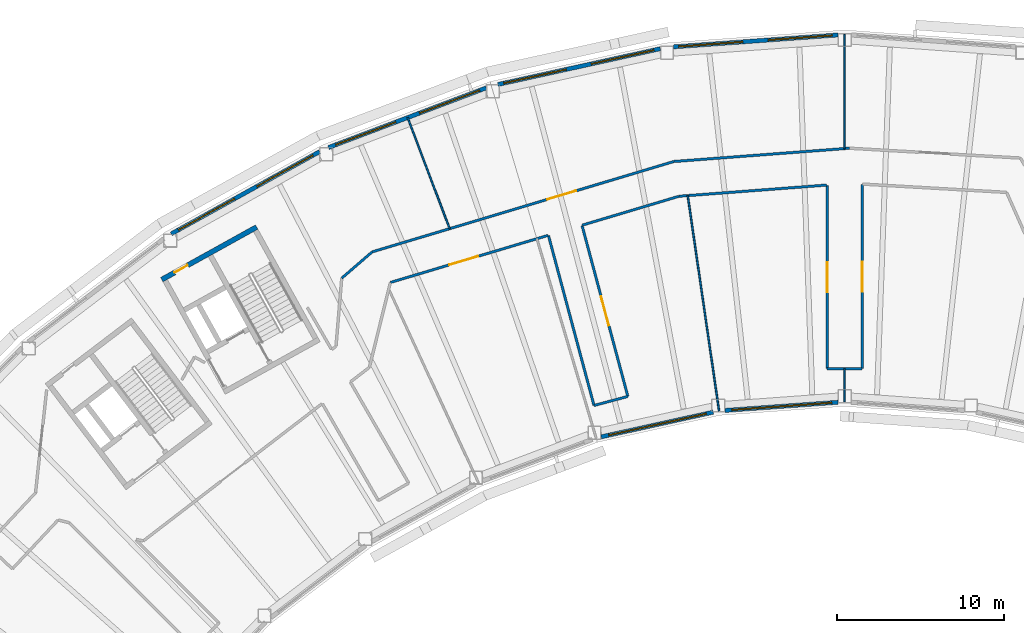
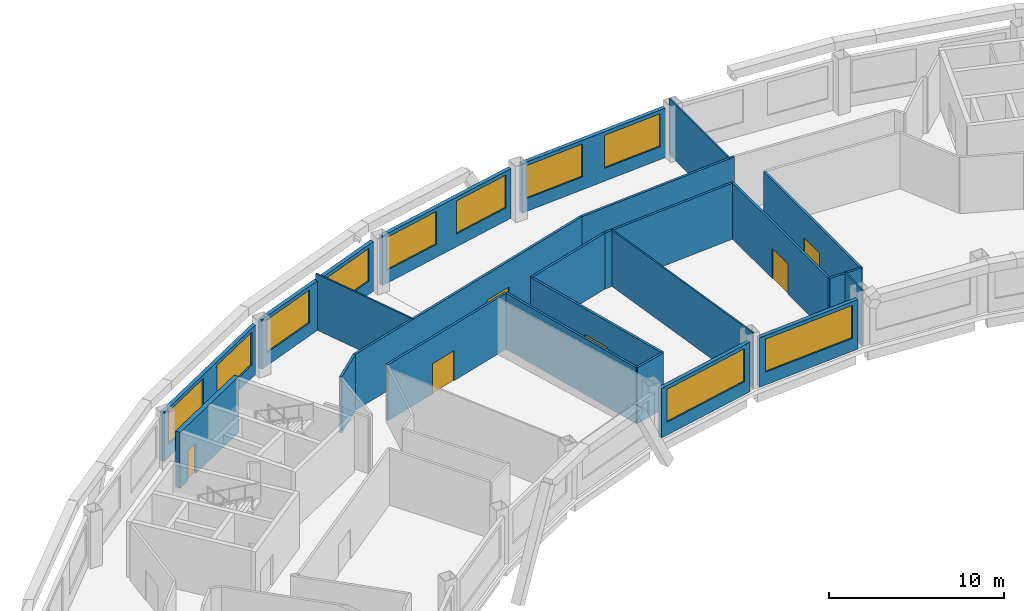
# One storey, part 6 of 16: 23 walls, 10 windows, 6 doors, 16 openings.
"""IFC4 building model written with IfcOpenShell, lengths in metres."""

import ifcopenshell
import ifcopenshell.guid

model = None  # the IFC model being written
_history = None  # IfcOwnerHistory: only IFC2X3 demands one
_inside = {}  # id of a spatial element -> (the spatial element, [elements in it])
_under = {}  # id of a project, library or spatial element -> (it, [spatial elements below it])
_declared = {}  # id of a project -> (the project, [libraries it declares])
_typed = {}  # id of a type object -> (the type object, [elements of that type])
_made_of = {}  # id of a material, layer set ... -> (it, [elements and type objects made of it])


def new_model(schema):
    """Start an empty IFC model of exactly this schema.

    Asked for "IFC4X3", IfcOpenShell would pick the latest addendum, in which some entities
    have other attributes; the version numbers below select the first issue.
    IFC2X3 requires an IfcOwnerHistory on every rooted entity: one is made here for all.
    """
    global model, _history
    if schema == "IFC4X3":
        model = ifcopenshell.file(schema_version=(4, 3, 0, 0))
    else:
        model = ifcopenshell.file(schema=schema)
    _inside.clear()
    _under.clear()
    _declared.clear()
    _typed.clear()
    _made_of.clear()
    _history = None
    if model.schema == "IFC2X3":
        org = make("IfcOrganization", Name="unknown")
        user = make(
            "IfcPersonAndOrganization",
            ThePerson=make("IfcPerson", FamilyName="unknown"),
            TheOrganization=org,
        )
        app = make(
            "IfcApplication",
            ApplicationDeveloper=org,
            Version="unknown",
            ApplicationFullName="unknown",
            ApplicationIdentifier="unknown",
        )
        _history = make(
            "IfcOwnerHistory",
            OwningUser=user,
            OwningApplication=app,
            ChangeAction="ADDED",
            CreationDate=0,
        )
    return model


def make(cls, **values):
    """One entity of the class cls with the attributes given. An attribute that is None is left unset."""
    return model.create_entity(
        cls, **{name: value for name, value in values.items() if value is not None}
    )


def rooted(cls, **values):
    """An entity with a GlobalId (a new one), such as an element, a storey or a relation."""
    return make(cls, GlobalId=ifcopenshell.guid.new(), OwnerHistory=_history, **values)


def si_unit(unit_type, name, prefix=None):
    """IfcSIUnit, for example si_unit("LENGTHUNIT", "METRE", prefix="MILLI")."""
    return make("IfcSIUnit", UnitType=unit_type, Prefix=prefix, Name=name)


def assignment(units):
    """IfcUnitAssignment: the units of a project."""
    return None if units is None else make("IfcUnitAssignment", Units=units)


def point(xyz):
    """IfcCartesianPoint."""
    return None if xyz is None else make("IfcCartesianPoint", Coordinates=xyz)


def direction(xyz):
    """IfcDirection."""
    return None if xyz is None else make("IfcDirection", DirectionRatios=xyz)


def frame(location, z_axis=None, x_axis=None):
    """IfcAxis2Placement3D, a coordinate frame: its origin and axes. An axis left out is left unset."""
    return make(
        "IfcAxis2Placement3D",
        Location=point(location),
        Axis=direction(z_axis),
        RefDirection=direction(x_axis),
    )


def frame_2d(location, x_axis=None):
    """IfcAxis2Placement2D, a coordinate frame in the plane: its origin and x axis."""
    return make(
        "IfcAxis2Placement2D", Location=point(location), RefDirection=direction(x_axis)
    )


def origin():
    """The frame at (0, 0, 0) with its axes left unset."""
    return frame((0.0, 0.0, 0.0))


def place(relative_to, where):
    """IfcLocalPlacement: puts the frame where relative to a parent placement (None: the world)."""
    return make(
        "IfcLocalPlacement", PlacementRelTo=relative_to, RelativePlacement=where
    )


def context(
    kind, dimensions, precision=None, world=None, true_north=None, identifier=None
):
    """IfcGeometricRepresentationContext, for example the 3D "Model" context."""
    return make(
        "IfcGeometricRepresentationContext",
        ContextIdentifier=identifier,
        ContextType=kind,
        CoordinateSpaceDimension=dimensions,
        Precision=precision,
        WorldCoordinateSystem=world,
        TrueNorth=true_north,
    )


def subcontext(parent, identifier, kind, view, scale=None):
    """IfcGeometricRepresentationSubContext, for example "Body" below "Model"."""
    return make(
        "IfcGeometricRepresentationSubContext",
        ContextIdentifier=identifier,
        ContextType=kind,
        ParentContext=parent,
        TargetScale=scale,
        TargetView=view,
    )


def project(units=None, contexts=None):
    """IfcProject with its units and contexts."""
    return rooted(
        "IfcProject",
        Name="project",
        RepresentationContexts=contexts,
        UnitsInContext=assignment(units),
    )


def spatial(cls, under=None, at=None, **own):
    """A site, building, storey or space (cls), placed at a placement, below another one or the project."""
    s = rooted(cls, ObjectPlacement=at, **own)
    if under is not None:
        _under.setdefault(under.id(), (under, []))[1].append(s)
    return s


def profile(cls, at=None, kind="AREA", **sizes):
    """A parametric profile (cls). Its sizes go by their IFC names, for example OverallWidth=200.0."""
    return make(cls, ProfileType=kind, Position=at, **sizes)


def rectangle(**sizes):
    """IfcRectangleProfileDef."""
    return profile("IfcRectangleProfileDef", **sizes)


def extrude(swept, where, along, depth):
    """IfcExtrudedAreaSolid: the profile swept, set in the frame where, extruded along a direction by depth."""
    return make(
        "IfcExtrudedAreaSolid",
        SweptArea=swept,
        Position=where,
        ExtrudedDirection=direction(along),
        Depth=depth,
    )


def shape(context_of_items, identifier, shape_type, items):
    """IfcShapeRepresentation: the items that make up one representation, for example the "Body"."""
    return make(
        "IfcShapeRepresentation",
        ContextOfItems=context_of_items,
        RepresentationIdentifier=identifier,
        RepresentationType=shape_type,
        Items=items,
    )


def material(Name=None, Category=None):
    """IfcMaterial."""
    return make("IfcMaterial", Name=Name, Category=Category)


def layer(
    of_material, thickness, ventilated=None, Name=None, Category=None, Priority=None
):
    """IfcMaterialLayer: one layer of a wall or slab, of a material (None: an air gap)."""
    return make(
        "IfcMaterialLayer",
        Material=of_material,
        LayerThickness=thickness,
        IsVentilated=ventilated,
        Name=Name,
        Category=Category,
        Priority=Priority,
    )


def layer_set(layers, Name=None):
    """IfcMaterialLayerSet."""
    return make("IfcMaterialLayerSet", MaterialLayers=layers, LayerSetName=Name)


def made_of(thing, what):
    """Note that an element or type object is made of a material, layer set ...; save() writes the relation."""
    if what is not None:
        _made_of.setdefault(what.id(), (what, []))[1].append(thing)
    return thing


def type_object(cls, material=None, **own):
    """A type object (cls), such as IfcWallType, which elements share."""
    return made_of(rooted(cls, **own), material)


def element(
    cls,
    number,
    at=None,
    inside=None,
    cuts=None,
    type_object=None,
    material=None,
    context=None,
    identifier="Body",
    shape_type=None,
    held_by="IfcProductDefinitionShape",
    body=None,
    shapes=None,
    **own,
):
    """One element of the class cls, such as IfcWall. Its Tag is "e" and its number.

    at: its placement. inside: the storey or other place that contains it. cuts: it is an
    opening in that element (IfcRelVoidsElement). A single representation is given by context,
    identifier, shape_type and body (its items); several are given by shapes. held_by: the class
    of the entity that holds the representations. save() writes the other relations.
    """
    e = rooted(cls, Tag="e%d" % number, ObjectPlacement=at, **own)
    if body is not None:
        shapes = [shape(context, identifier, shape_type, body)]
    if shapes is not None:
        e.Representation = make(held_by, Representations=shapes)
    if inside is not None:
        _inside.setdefault(inside.id(), (inside, []))[1].append(e)
    if cuts is not None:
        rooted(
            "IfcRelVoidsElement", RelatingBuildingElement=cuts, RelatedOpeningElement=e
        )
    if type_object is not None:
        _typed.setdefault(type_object.id(), (type_object, []))[1].append(e)
    return made_of(e, material)


def fill(opening, filler):
    """IfcRelFillsElement: the door or window that sits in an opening."""
    return rooted(
        "IfcRelFillsElement",
        RelatingOpeningElement=opening,
        RelatedBuildingElement=filler,
    )


def aggregate(whole, parts):
    """IfcRelAggregates: a whole, such as a stair, and the parts it consists of."""
    return rooted("IfcRelAggregates", RelatingObject=whole, RelatedObjects=parts)


def save(model, path):
    """Write the relations noted so far, then the file.

    IfcRelAggregates (storeys below a building ...), IfcRelContainedInSpatialStructure (elements
    in a storey), IfcRelDefinesByType, IfcRelAssociatesMaterial and IfcRelDeclares: one each for
    every whole, place, type object, material and project.
    """
    for whole, parts in _under.values():
        aggregate(whole, parts)
    for where, things in _inside.values():
        rooted(
            "IfcRelContainedInSpatialStructure",
            RelatedElements=things,
            RelatingStructure=where,
        )
    for kind, things in _typed.values():
        rooted("IfcRelDefinesByType", RelatedObjects=things, RelatingType=kind)
    for what, things in _made_of.values():
        rooted("IfcRelAssociatesMaterial", RelatedObjects=things, RelatingMaterial=what)
    for by, libraries in _declared.values():
        rooted("IfcRelDeclares", RelatingContext=by, RelatedDefinitions=libraries)
    model.write(path)


model = new_model("IFC4")

# Units and contexts
model_context = context("Model", 3, precision=1e-05, world=origin(), true_north=direction((0.0, 1.0)))
body_context = subcontext(model_context, "Body", "Model", "MODEL_VIEW")
ifc_project = project(units=[si_unit("LENGTHUNIT", "METRE"), si_unit("AREAUNIT", "SQUARE_METRE"), si_unit("VOLUMEUNIT", "CUBIC_METRE"), si_unit("PLANEANGLEUNIT", "RADIAN"), si_unit("MASSUNIT", "GRAM", prefix="KILO")], contexts=[model_context])

# Site, building, storey
site_placement = place(None, origin())
site = spatial("IfcSite", under=ifc_project, at=site_placement, CompositionType="ELEMENT")
building_placement = place(site_placement, origin())
building = spatial("IfcBuilding", under=site, at=building_placement, Name="Tuul Gate Civic Tower", CompositionType="ELEMENT")
storey_placement = place(building_placement, frame((0.0, 0.0, 298.39990234375)))
storey = spatial("IfcBuildingStorey", under=building, at=storey_placement, Name="Level 67", CompositionType="ELEMENT", Elevation=298.39990234375)

# Wall, opening, door
ifc_material_1 = material(Name="Concrete C50/60", Category="concrete")
ifc_layer_1 = layer(ifc_material_1, 0.300048828125)
ifc_layer_set_1 = layer_set([ifc_layer_1], Name="Concrete C50/60")
wall_type_1 = type_object("IfcWallType", Name="Core wall C50/60", PredefinedType="SHEAR", material=ifc_layer_set_1)
wall_1_placement = place(storey_placement, frame((-28.4443359375, -1.98095703125, 0.0), z_axis=(0.0, 0.0, 1.0), x_axis=(-0.874629909008, -0.484791215132, 0.0)))
wall_1 = element("IfcWall", 1, at=wall_1_placement, inside=storey, type_object=wall_type_1, Name="Core wall", PredefinedType="SHEAR", context=body_context, shape_type="SweptSolid", body=[
    extrude(rectangle(XDim=6.5, YDim=0.300048828125, at=frame_2d((3.25, 0.0))), origin(), (0.0, 0.0, 1.0), 3.900146484375),
])
opening_1_placement = place(wall_1_placement, frame((4.72509765625, 0.0, 0.0)))
opening_1 = element("IfcOpeningElement", 2, at=opening_1_placement, cuts=wall_1, Name="Opening Y-D17", PredefinedType="OPENING", context=body_context, shape_type="SweptSolid", body=[
    extrude(rectangle(XDim=0.89990234375, YDim=2.10009765625, at=frame_2d((0.449951171875, 1.050048828125))), frame((0.0, 0.16015625, 0.0), z_axis=(0.0, -1.0, 0.0), x_axis=(1.0, 0.0, 0.0)), (0.0, 0.0, 1.0), 0.320068359375),
])
ifc_material_2 = material(Name="Timber door leaf", Category="wood")
door_type_1 = type_object("IfcDoorType", Name="Door D09", OperationType="NOTDEFINED", PredefinedType="DOOR", material=ifc_material_2)
door_1_placement = place(opening_1_placement, origin())
door_1 = element("IfcDoor", 3, at=door_1_placement, inside=storey, type_object=door_type_1, Name="Door Y-D17", OperationType="SINGLE_SWING_LEFT", OverallHeight=2.10009765625, OverallWidth=0.89990234375, PredefinedType="DOOR", context=body_context, shape_type="SweptSolid", body=[
    extrude(rectangle(XDim=0.89990234375, YDim=2.10009765625, at=frame_2d((0.449951171875, 1.050048828125))), frame((0.0, 0.02490234375, 0.0), z_axis=(0.0, -1.0, 0.0), x_axis=(1.0, 0.0, 0.0)), (0.0, 0.0, 1.0), 0.050048828125),
])
fill(opening_1, door_1)

# Wall
ifc_material_3 = material(Name="Gypsum board partition")
ifc_layer_2 = layer(ifc_material_3, 0.14990234375)
ifc_layer_set_2 = layer_set([ifc_layer_2], Name="Gypsum board partition")
wall_type_2 = type_object("IfcWallType", Name="Corridor wall P150", PredefinedType="PARTITIONING", material=ifc_layer_set_2)
wall_2_placement = place(storey_placement, frame((-3.451171875, 1.94580078125, 0.0), z_axis=(0.0, 0.0, 1.0), x_axis=(0.997139491246, 0.075583298406, 0.0)))
element("IfcWall", 4, at=wall_2_placement, inside=storey, type_object=wall_type_2, Name="p021", PredefinedType="PARTITIONING", context=body_context, shape_type="SweptSolid", body=[
    extrude(rectangle(XDim=10.549560546875, YDim=0.14990234375, at=frame_2d((5.27490234375, 0.0))), origin(), (0.0, 0.0, 1.0), 3.900146484375),
])

# Wall, opening, door
wall_3_placement = place(storey_placement, frame((-21.523681640625, -3.4697265625, 0.0), z_axis=(0.0, 0.0, 1.0), x_axis=(0.957914218536, 0.287054611402, 0.0)))
wall_3 = element("IfcWall", 5, at=wall_3_placement, inside=storey, type_object=wall_type_2, Name="p034", PredefinedType="PARTITIONING", context=body_context, shape_type="SweptSolid", body=[
    extrude(rectangle(XDim=18.864990234375, YDim=0.14990234375, at=frame_2d((9.4326171875, 0.0))), origin(), (0.0, 0.0, 1.0), 3.900146484375),
])
opening_2_placement = place(wall_3_placement, frame((10.95654296875, 0.0, 0.0)))
opening_2 = element("IfcOpeningElement", 6, at=opening_2_placement, cuts=wall_3, Name="Opening Y-D05", PredefinedType="OPENING", context=body_context, shape_type="SweptSolid", body=[
    extrude(rectangle(XDim=1.800048828125, YDim=2.10009765625, at=frame_2d((0.89990234375, 1.050048828125))), frame((0.0, 0.0849609375, 0.0), z_axis=(0.0, -1.0, 0.0), x_axis=(1.0, 0.0, 0.0)), (0.0, 0.0, 1.0), 0.169921875),
])
ifc_material_4 = material(Name="Timber door leaf, double", Category="wood")
door_type_2 = type_object("IfcDoorType", Name="Door D18", OperationType="DOUBLE_DOOR_SINGLE_SWING", PredefinedType="DOOR", material=ifc_material_4)
door_2_placement = place(opening_2_placement, origin())
door_2 = element("IfcDoor", 7, at=door_2_placement, inside=storey, type_object=door_type_2, Name="Door Y-D05", OperationType="DOUBLE_DOOR_SINGLE_SWING", OverallHeight=2.10009765625, OverallWidth=1.800048828125, PredefinedType="DOOR", context=body_context, shape_type="SweptSolid", body=[
    extrude(rectangle(XDim=1.800048828125, YDim=2.10009765625, at=frame_2d((0.89990234375, 1.050048828125))), frame((0.0, 0.02490234375, 0.0), z_axis=(0.0, -1.0, 0.0), x_axis=(1.0, 0.0, 0.0)), (0.0, 0.0, 1.0), 0.050048828125),
])
fill(opening_2, door_2)

# Wall
wall_4_placement = place(storey_placement, frame((-23.345947265625, -5.044189453125, 0.0), z_axis=(0.0, 0.0, 1.0), x_axis=(0.756572042285, 0.653910349232, 0.0)))
element("IfcWall", 8, at=wall_4_placement, inside=storey, type_object=wall_type_2, Name="p037", PredefinedType="PARTITIONING", context=body_context, shape_type="SweptSolid", body=[
    extrude(rectangle(XDim=2.40673828125, YDim=0.14990234375, at=frame_2d((1.203369140625, 0.0))), origin(), (0.0, 0.0, 1.0), 3.900146484375),
])

# Wall, opening, door
wall_5_placement = place(storey_placement, frame((7.838134765625, -10.469970703125, 0.0), z_axis=(0.0, 0.0, 1.0), x_axis=(0.0, 1.0, 0.0)))
wall_5 = element("IfcWall", 9, at=wall_5_placement, inside=storey, type_object=wall_type_2, Name="p061", PredefinedType="PARTITIONING", context=body_context, shape_type="SweptSolid", body=[
    extrude(rectangle(XDim=11.043701171875, YDim=0.14990234375, at=frame_2d((5.52197265625, 0.0))), origin(), (0.0, 0.0, 1.0), 3.900146484375),
])
opening_3_placement = place(wall_5_placement, frame((4.621826171875, 0.0, 0.0)))
opening_3 = element("IfcOpeningElement", 10, at=opening_3_placement, cuts=wall_5, Name="Opening Y-D09", PredefinedType="OPENING", context=body_context, shape_type="SweptSolid", body=[
    extrude(rectangle(XDim=1.800048828125, YDim=2.10009765625, at=frame_2d((0.89990234375, 1.050048828125))), frame((0.0, 0.0849609375, 0.0), z_axis=(0.0, -1.0, 0.0), x_axis=(1.0, 0.0, 0.0)), (0.0, 0.0, 1.0), 0.169921875),
])
door_3_placement = place(opening_3_placement, frame((1.800048828125, 0.0, 0.0), z_axis=(0.0, 0.0, 1.0), x_axis=(-1.0, 0.0, 0.0)))
door_3 = element("IfcDoor", 11, at=door_3_placement, inside=storey, type_object=door_type_2, Name="Door Y-D09", OperationType="DOUBLE_DOOR_SINGLE_SWING", OverallHeight=2.10009765625, OverallWidth=1.800048828125, PredefinedType="DOOR", context=body_context, shape_type="SweptSolid", body=[
    extrude(rectangle(XDim=1.800048828125, YDim=2.10009765625, at=frame_2d((0.900146484375, 1.050048828125))), frame((0.0, 0.02490234375, 0.0), z_axis=(0.0, -1.0, 0.0), x_axis=(1.0, 0.0, 0.0)), (0.0, 0.0, 1.0), 0.050048828125),
])
fill(opening_3, door_3)

# Walls
wall_6_placement = place(storey_placement, frame((5.739013671875, -10.469970703125, 0.0), z_axis=(0.0, 0.0, 1.0), x_axis=(1.0, 0.0, 0.0)))
element("IfcWall", 12, at=wall_6_placement, inside=storey, type_object=wall_type_2, Name="p066", PredefinedType="PARTITIONING", context=body_context, shape_type="SweptSolid", body=[
    extrude(rectangle(XDim=2.09912109375, YDim=0.14990234375, at=frame_2d((1.049560546875, 0.0))), origin(), (0.0, 0.0, 1.0), 3.900146484375),
])
wall_7_placement = place(storey_placement, frame((-3.13916015625, -0.136474609375, 0.0), z_axis=(0.0, 0.0, 1.0), x_axis=(0.997140365819, 0.075571759639, 0.0)))
element("IfcWall", 13, at=wall_7_placement, inside=storey, type_object=wall_type_2, Name="p068", PredefinedType="PARTITIONING", context=body_context, shape_type="SweptSolid", body=[
    extrude(rectangle(XDim=8.880859375, YDim=0.14990234375, at=frame_2d((4.4404296875, 0.0))), origin(), (0.0, 0.0, 1.0), 3.900146484375),
])

# Wall, opening, door
wall_8_placement = place(storey_placement, frame((5.73828125, -10.46923828125, 0.0), z_axis=(0.0, 0.0, 1.0), x_axis=(0.0, 1.0, 0.0)))
wall_8 = element("IfcWall", 14, at=wall_8_placement, inside=storey, type_object=wall_type_2, Name="p069", PredefinedType="PARTITIONING", context=body_context, shape_type="SweptSolid", body=[
    extrude(rectangle(XDim=10.983642578125, YDim=0.14990234375, at=frame_2d((5.49169921875, 0.0))), origin(), (0.0, 0.0, 1.0), 3.900146484375),
])
opening_4_placement = place(wall_8_placement, frame((4.591796875, 0.0, 0.0)))
opening_4 = element("IfcOpeningElement", 15, at=opening_4_placement, cuts=wall_8, Name="Opening Y-D10", PredefinedType="OPENING", context=body_context, shape_type="SweptSolid", body=[
    extrude(rectangle(XDim=1.800048828125, YDim=2.10009765625, at=frame_2d((0.89990234375, 1.050048828125))), frame((0.0, 0.0849609375, 0.0), z_axis=(0.0, -1.0, 0.0), x_axis=(1.0, 0.0, 0.0)), (0.0, 0.0, 1.0), 0.169921875),
])
door_4_placement = place(opening_4_placement, origin())
door_4 = element("IfcDoor", 16, at=door_4_placement, inside=storey, type_object=door_type_2, Name="Door Y-D10", OperationType="DOUBLE_DOOR_SINGLE_SWING", OverallHeight=2.10009765625, OverallWidth=1.800048828125, PredefinedType="DOOR", context=body_context, shape_type="SweptSolid", body=[
    extrude(rectangle(XDim=1.800048828125, YDim=2.10009765625, at=frame_2d((0.89990234375, 1.050048828125))), frame((0.0, 0.02490234375, 0.0), z_axis=(0.0, -1.0, 0.0), x_axis=(1.0, 0.0, 0.0)), (0.0, 0.0, 1.0), 0.050048828125),
])
fill(opening_4, door_4)

wall_9_placement = place(storey_placement, frame((-20.421875, -5.299072265625, 0.0), z_axis=(0.0, 0.0, 1.0), x_axis=(0.958157853162, 0.286240333329, 0.0)))
wall_9 = element("IfcWall", 17, at=wall_9_placement, inside=storey, type_object=wall_type_2, Name="p071", PredefinedType="PARTITIONING", context=body_context, shape_type="SweptSolid", body=[
    extrude(rectangle(XDim=9.850341796875, YDim=0.14990234375, at=frame_2d((4.92529296875, 0.0))), origin(), (0.0, 0.0, 1.0), 3.900146484375),
])
opening_5_placement = place(wall_9_placement, frame((3.673828125, 0.0, 0.0)))
opening_5 = element("IfcOpeningElement", 18, at=opening_5_placement, cuts=wall_9, Name="Opening Y-D12", PredefinedType="OPENING", context=body_context, shape_type="SweptSolid", body=[
    extrude(rectangle(XDim=1.800048828125, YDim=2.10009765625, at=frame_2d((0.89990234375, 1.050048828125))), frame((0.0, 0.0849609375, 0.0), z_axis=(0.0, -1.0, 0.0), x_axis=(1.0, 0.0, 0.0)), (0.0, 0.0, 1.0), 0.169921875),
])
door_5_placement = place(opening_5_placement, frame((1.800048828125, 0.0, 0.0), z_axis=(0.0, 0.0, 1.0), x_axis=(-1.0, 0.0, 0.0)))
door_5 = element("IfcDoor", 19, at=door_5_placement, inside=storey, type_object=door_type_2, Name="Door Y-D12", OperationType="DOUBLE_DOOR_SINGLE_SWING", OverallHeight=2.10009765625, OverallWidth=1.800048828125, PredefinedType="DOOR", context=body_context, shape_type="SweptSolid", body=[
    extrude(rectangle(XDim=1.800048828125, YDim=2.10009765625, at=frame_2d((0.900146484375, 1.050048828125))), frame((0.0, 0.02490234375, 0.0), z_axis=(0.0, -1.0, 0.0), x_axis=(1.0, 0.0, 0.0)), (0.0, 0.0, 1.0), 0.050048828125),
])
fill(opening_5, door_5)

# Walls
wall_10_placement = place(storey_placement, frame((-8.931396484375, -1.8662109375, 0.0), z_axis=(0.0, 0.0, 1.0), x_axis=(0.958161614647, 0.286227741871, 0.0)))
element("IfcWall", 20, at=wall_10_placement, inside=storey, type_object=wall_type_2, Name="p072", PredefinedType="PARTITIONING", context=body_context, shape_type="SweptSolid", body=[
    extrude(rectangle(XDim=6.039794921875, YDim=0.14990234375, at=frame_2d((3.02001953125, 0.0))), origin(), (0.0, 0.0, 1.0), 3.900146484375),
])
wall_11_placement = place(storey_placement, frame((-10.9580078125, -2.493896484375, 0.0), z_axis=(0.0, 0.0, 1.0), x_axis=(0.258807503709, -0.965928918722, 0.0)))
element("IfcWall", 21, at=wall_11_placement, inside=storey, type_object=wall_type_2, Name="p073", PredefinedType="PARTITIONING", context=body_context, shape_type="SweptSolid", body=[
    extrude(rectangle(XDim=10.536865234375, YDim=0.14990234375, at=frame_2d((5.2685546875, 0.0))), origin(), (0.0, 0.0, 1.0), 3.900146484375),
])
wall_12_placement = place(storey_placement, frame((-8.22998046875, -12.67236328125, 0.0), z_axis=(0.0, 0.0, 1.0), x_axis=(0.96594857071, 0.258734146846, 0.0)))
element("IfcWall", 22, at=wall_12_placement, inside=storey, type_object=wall_type_2, Name="p074", PredefinedType="PARTITIONING", context=body_context, shape_type="SweptSolid", body=[
    extrude(rectangle(XDim=2.0986328125, YDim=0.14990234375, at=frame_2d((1.04931640625, 0.0))), origin(), (0.0, 0.0, 1.0), 3.900146484375),
])

# Wall, opening, door
wall_13_placement = place(storey_placement, frame((-8.9453125, -1.891357421875, 0.0), z_axis=(0.0, 0.0, 1.0), x_axis=(0.258810929597, -0.965928000796, 0.0)))
wall_13 = element("IfcWall", 23, at=wall_13_placement, inside=storey, type_object=wall_type_2, Name="p075", PredefinedType="PARTITIONING", context=body_context, shape_type="SweptSolid", body=[
    extrude(rectangle(XDim=10.59814453125, YDim=0.14990234375, at=frame_2d((5.299072265625, 0.0))), origin(), (0.0, 0.0, 1.0), 3.900146484375),
])
opening_6_placement = place(wall_13_placement, frame((4.399169921875, 0.0, 0.0)))
opening_6 = element("IfcOpeningElement", 24, at=opening_6_placement, cuts=wall_13, Name="Opening Y-D11", PredefinedType="OPENING", context=body_context, shape_type="SweptSolid", body=[
    extrude(rectangle(XDim=1.800048828125, YDim=2.10009765625, at=frame_2d((0.89990234375, 1.050048828125))), frame((0.0, 0.0849609375, 0.0), z_axis=(0.0, -1.0, 0.0), x_axis=(1.0, 0.0, 0.0)), (0.0, 0.0, 1.0), 0.169921875),
])
door_6_placement = place(opening_6_placement, origin())
door_6 = element("IfcDoor", 25, at=door_6_placement, inside=storey, type_object=door_type_2, Name="Door Y-D11", OperationType="DOUBLE_DOOR_SINGLE_SWING", OverallHeight=2.10009765625, OverallWidth=1.800048828125, PredefinedType="DOOR", context=body_context, shape_type="SweptSolid", body=[
    extrude(rectangle(XDim=1.800048828125, YDim=2.10009765625, at=frame_2d((0.89990234375, 1.050048828125))), frame((0.0, 0.02490234375, 0.0), z_axis=(0.0, -1.0, 0.0), x_axis=(1.0, 0.0, 0.0)), (0.0, 0.0, 1.0), 0.050048828125),
])
fill(opening_6, door_6)

# Wall, openings, windows
ifc_material_5 = material(Name="Precast concrete C40/50", Category="concrete")
ifc_layer_3 = layer(ifc_material_5, 0.25)
ifc_layer_set_3 = layer_set([ifc_layer_3], Name="Precast concrete C40/50")
wall_type_3 = type_object("IfcWallType", Name="External wall", PredefinedType="STANDARD", material=ifc_layer_set_3)
wall_14_placement = place(storey_placement, frame((6.387939453125, 9.52880859375, 0.0), z_axis=(0.0, 0.0, 1.0), x_axis=(-0.997387042659, -0.072243249762, 0.0)))
wall_14 = element("IfcWall", 26, at=wall_14_placement, inside=storey, type_object=wall_type_3, Name="External wall", PredefinedType="STANDARD", context=body_context, shape_type="SweptSolid", body=[
    extrude(rectangle(XDim=9.874755859375, YDim=0.25, at=frame_2d((4.9375, 0.0))), origin(), (0.0, 0.0, 1.0), 3.4501953125),
])
opening_7_placement = place(wall_14_placement, frame((0.350341796875, 0.0, 0.89990234375)))
opening_7 = element("IfcOpeningElement", 27, at=opening_7_placement, cuts=wall_14, Name="Opening W22", PredefinedType="OPENING", context=body_context, shape_type="SweptSolid", body=[
    extrude(rectangle(XDim=3.85009765625, YDim=2.300048828125, at=frame_2d((1.925048828125, 1.14990234375))), frame((0.0, 0.135009765625, 0.0), z_axis=(0.0, -1.0, 0.0), x_axis=(1.0, 0.0, 0.0)), (0.0, 0.0, 1.0), 0.27001953125),
])
opening_8_placement = place(wall_14_placement, frame((5.721435546875, 0.0, 0.89990234375)))
opening_8 = element("IfcOpeningElement", 28, at=opening_8_placement, cuts=wall_14, Name="Opening W22", PredefinedType="OPENING", context=body_context, shape_type="SweptSolid", body=[
    extrude(rectangle(XDim=3.85009765625, YDim=2.300048828125, at=frame_2d((1.925048828125, 1.14990234375))), frame((0.0, 0.135009765625, 0.0), z_axis=(0.0, -1.0, 0.0), x_axis=(1.0, 0.0, 0.0)), (0.0, 0.0, 1.0), 0.27001953125),
])
ifc_material_6 = material(Name="Glass", Category="glass")
window_type_1 = type_object("IfcWindowType", Name="Window W22 3850 x 2300", PartitioningType="SINGLE_PANEL", PredefinedType="WINDOW", material=ifc_material_6)
window_1_placement = place(opening_7_placement, origin())
window_1 = element("IfcWindow", 29, at=window_1_placement, inside=storey, type_object=window_type_1, Name="Window", OverallHeight=2.300048828125, OverallWidth=3.85009765625, PartitioningType="SINGLE_PANEL", PredefinedType="WINDOW", context=body_context, shape_type="SweptSolid", body=[
    extrude(rectangle(XDim=3.85009765625, YDim=2.300048828125, at=frame_2d((1.925048828125, 1.14990234375))), frame((0.0, 0.030029296875, 0.0), z_axis=(0.0, -1.0, 0.0), x_axis=(1.0, 0.0, 0.0)), (0.0, 0.0, 1.0), 0.06005859375),
])
fill(opening_7, window_1)
window_2_placement = place(opening_8_placement, origin())
window_2 = element("IfcWindow", 30, at=window_2_placement, inside=storey, type_object=window_type_1, Name="Window", OverallHeight=2.300048828125, OverallWidth=3.85009765625, PartitioningType="SINGLE_PANEL", PredefinedType="WINDOW", context=body_context, shape_type="SweptSolid", body=[
    extrude(rectangle(XDim=3.85009765625, YDim=2.300048828125, at=frame_2d((1.925048828125, 1.14990234375))), frame((0.0, 0.030029296875, 0.0), z_axis=(0.0, -1.0, 0.0), x_axis=(1.0, 0.0, 0.0)), (0.0, 0.0, 1.0), 0.06005859375),
])
fill(opening_8, window_2)

wall_15_placement = place(storey_placement, frame((-4.260986328125, 8.705078125, 0.0), z_axis=(0.0, 0.0, 1.0), x_axis=(-0.976568573814, -0.215206460496, 0.0)))
wall_15 = element("IfcWall", 31, at=wall_15_placement, inside=storey, type_object=wall_type_3, Name="External wall", PredefinedType="STANDARD", context=body_context, shape_type="SweptSolid", body=[
    extrude(rectangle(XDim=9.958251953125, YDim=0.25, at=frame_2d((4.97900390625, 0.0))), origin(), (0.0, 0.0, 1.0), 3.4501953125),
])
opening_9_placement = place(wall_15_placement, frame((0.39013671875, 0.0, 0.89990234375)))
opening_9 = element("IfcOpeningElement", 32, at=opening_9_placement, cuts=wall_15, Name="Opening W22", PredefinedType="OPENING", context=body_context, shape_type="SweptSolid", body=[
    extrude(rectangle(XDim=3.85009765625, YDim=2.300048828125, at=frame_2d((1.925048828125, 1.14990234375))), frame((0.0, 0.135009765625, 0.0), z_axis=(0.0, -1.0, 0.0), x_axis=(1.0, 0.0, 0.0)), (0.0, 0.0, 1.0), 0.27001953125),
])
opening_10_placement = place(wall_15_placement, frame((5.761474609375, 0.0, 0.89990234375)))
opening_10 = element("IfcOpeningElement", 33, at=opening_10_placement, cuts=wall_15, Name="Opening W22", PredefinedType="OPENING", context=body_context, shape_type="SweptSolid", body=[
    extrude(rectangle(XDim=3.85009765625, YDim=2.300048828125, at=frame_2d((1.925048828125, 1.14990234375))), frame((0.0, 0.135009765625, 0.0), z_axis=(0.0, -1.0, 0.0), x_axis=(1.0, 0.0, 0.0)), (0.0, 0.0, 1.0), 0.27001953125),
])
window_3_placement = place(opening_9_placement, origin())
window_3 = element("IfcWindow", 34, at=window_3_placement, inside=storey, type_object=window_type_1, Name="Window", OverallHeight=2.300048828125, OverallWidth=3.85009765625, PartitioningType="SINGLE_PANEL", PredefinedType="WINDOW", context=body_context, shape_type="SweptSolid", body=[
    extrude(rectangle(XDim=3.85009765625, YDim=2.300048828125, at=frame_2d((1.925048828125, 1.14990234375))), frame((0.0, 0.030029296875, 0.0), z_axis=(0.0, -1.0, 0.0), x_axis=(1.0, 0.0, 0.0)), (0.0, 0.0, 1.0), 0.06005859375),
])
fill(opening_9, window_3)
window_4_placement = place(opening_10_placement, origin())
window_4 = element("IfcWindow", 35, at=window_4_placement, inside=storey, type_object=window_type_1, Name="Window", OverallHeight=2.300048828125, OverallWidth=3.85009765625, PartitioningType="SINGLE_PANEL", PredefinedType="WINDOW", context=body_context, shape_type="SweptSolid", body=[
    extrude(rectangle(XDim=3.85009765625, YDim=2.300048828125, at=frame_2d((1.925048828125, 1.14990234375))), frame((0.0, 0.030029296875, 0.0), z_axis=(0.0, -1.0, 0.0), x_axis=(1.0, 0.0, 0.0)), (0.0, 0.0, 1.0), 0.06005859375),
])
fill(opening_10, window_4)

wall_16_placement = place(storey_placement, frame((-14.68798828125, 6.35888671875, 0.0), z_axis=(0.0, 0.0, 1.0), x_axis=(-0.9353443931, -0.353738415071, 0.0)))
wall_16 = element("IfcWall", 36, at=wall_16_placement, inside=storey, type_object=wall_type_3, Name="External wall", PredefinedType="STANDARD", context=body_context, shape_type="SweptSolid", body=[
    extrude(rectangle(XDim=10.103515625, YDim=0.25, at=frame_2d((5.0517578125, 0.0))), origin(), (0.0, 0.0, 1.0), 3.4501953125),
])
opening_11_placement = place(wall_16_placement, frame((0.423583984375, 0.0, 0.89990234375)))
opening_11 = element("IfcOpeningElement", 37, at=opening_11_placement, cuts=wall_16, Name="Opening W22", PredefinedType="OPENING", context=body_context, shape_type="SweptSolid", body=[
    extrude(rectangle(XDim=3.85009765625, YDim=2.300048828125, at=frame_2d((1.925048828125, 1.14990234375))), frame((0.0, 0.135009765625, 0.0), z_axis=(0.0, -1.0, 0.0), x_axis=(1.0, 0.0, 0.0)), (0.0, 0.0, 1.0), 0.27001953125),
])
opening_12_placement = place(wall_16_placement, frame((5.794921875, 0.0, 0.89990234375)))
opening_12 = element("IfcOpeningElement", 38, at=opening_12_placement, cuts=wall_16, Name="Opening W22", PredefinedType="OPENING", context=body_context, shape_type="SweptSolid", body=[
    extrude(rectangle(XDim=3.85009765625, YDim=2.300048828125, at=frame_2d((1.925048828125, 1.14990234375))), frame((0.0, 0.135009765625, 0.0), z_axis=(0.0, -1.0, 0.0), x_axis=(1.0, 0.0, 0.0)), (0.0, 0.0, 1.0), 0.27001953125),
])
window_5_placement = place(opening_11_placement, origin())
window_5 = element("IfcWindow", 39, at=window_5_placement, inside=storey, type_object=window_type_1, Name="Window", OverallHeight=2.300048828125, OverallWidth=3.85009765625, PartitioningType="SINGLE_PANEL", PredefinedType="WINDOW", context=body_context, shape_type="SweptSolid", body=[
    extrude(rectangle(XDim=3.85009765625, YDim=2.300048828125, at=frame_2d((1.925048828125, 1.14990234375))), frame((0.0, 0.030029296875, 0.0), z_axis=(0.0, -1.0, 0.0), x_axis=(1.0, 0.0, 0.0)), (0.0, 0.0, 1.0), 0.06005859375),
])
fill(opening_11, window_5)
window_6_placement = place(opening_12_placement, origin())
window_6 = element("IfcWindow", 40, at=window_6_placement, inside=storey, type_object=window_type_1, Name="Window", OverallHeight=2.300048828125, OverallWidth=3.85009765625, PartitioningType="SINGLE_PANEL", PredefinedType="WINDOW", context=body_context, shape_type="SweptSolid", body=[
    extrude(rectangle(XDim=3.85009765625, YDim=2.300048828125, at=frame_2d((1.925048828125, 1.14990234375))), frame((0.0, 0.030029296875, 0.0), z_axis=(0.0, -1.0, 0.0), x_axis=(1.0, 0.0, 0.0)), (0.0, 0.0, 1.0), 0.06005859375),
])
fill(opening_12, window_6)

wall_17_placement = place(storey_placement, frame((-24.676025390625, 2.53515625, 0.0), z_axis=(0.0, 0.0, 1.0), x_axis=(-0.874624927255, -0.484800202789, 0.0)))
wall_17 = element("IfcWall", 41, at=wall_17_placement, inside=storey, type_object=wall_type_3, Name="External wall", PredefinedType="STANDARD", context=body_context, shape_type="SweptSolid", body=[
    extrude(rectangle(XDim=10.161376953125, YDim=0.25, at=frame_2d((5.08056640625, 0.0))), origin(), (0.0, 0.0, 1.0), 3.4501953125),
])
opening_13_placement = place(wall_17_placement, frame((0.4501953125, 0.0, 0.89990234375)))
opening_13 = element("IfcOpeningElement", 42, at=opening_13_placement, cuts=wall_17, Name="Opening W22", PredefinedType="OPENING", context=body_context, shape_type="SweptSolid", body=[
    extrude(rectangle(XDim=3.85009765625, YDim=2.300048828125, at=frame_2d((1.925048828125, 1.14990234375))), frame((0.0, 0.135009765625, 0.0), z_axis=(0.0, -1.0, 0.0), x_axis=(1.0, 0.0, 0.0)), (0.0, 0.0, 1.0), 0.27001953125),
])
opening_14_placement = place(wall_17_placement, frame((5.821533203125, 0.0, 0.89990234375)))
opening_14 = element("IfcOpeningElement", 43, at=opening_14_placement, cuts=wall_17, Name="Opening W22", PredefinedType="OPENING", context=body_context, shape_type="SweptSolid", body=[
    extrude(rectangle(XDim=3.85009765625, YDim=2.300048828125, at=frame_2d((1.925048828125, 1.14990234375))), frame((0.0, 0.135009765625, 0.0), z_axis=(0.0, -1.0, 0.0), x_axis=(1.0, 0.0, 0.0)), (0.0, 0.0, 1.0), 0.27001953125),
])
window_7_placement = place(opening_13_placement, origin())
window_7 = element("IfcWindow", 44, at=window_7_placement, inside=storey, type_object=window_type_1, Name="Window", OverallHeight=2.300048828125, OverallWidth=3.85009765625, PartitioningType="SINGLE_PANEL", PredefinedType="WINDOW", context=body_context, shape_type="SweptSolid", body=[
    extrude(rectangle(XDim=3.85009765625, YDim=2.300048828125, at=frame_2d((1.925048828125, 1.14990234375))), frame((0.0, 0.030029296875, 0.0), z_axis=(0.0, -1.0, 0.0), x_axis=(1.0, 0.0, 0.0)), (0.0, 0.0, 1.0), 0.06005859375),
])
fill(opening_13, window_7)
window_8_placement = place(opening_14_placement, origin())
window_8 = element("IfcWindow", 45, at=window_8_placement, inside=storey, type_object=window_type_1, Name="Window", OverallHeight=2.300048828125, OverallWidth=3.85009765625, PartitioningType="SINGLE_PANEL", PredefinedType="WINDOW", context=body_context, shape_type="SweptSolid", body=[
    extrude(rectangle(XDim=3.85009765625, YDim=2.300048828125, at=frame_2d((1.925048828125, 1.14990234375))), frame((0.0, 0.030029296875, 0.0), z_axis=(0.0, -1.0, 0.0), x_axis=(1.0, 0.0, 0.0)), (0.0, 0.0, 1.0), 0.06005859375),
])
fill(opening_14, window_8)

# Wall, opening, window
wall_18_placement = place(storey_placement, frame((-7.798095703125, -14.55126953125, 0.0), z_axis=(0.0, 0.0, 1.0), x_axis=(0.976561146318, 0.215240162382, 0.0)))
wall_18 = element("IfcWall", 46, at=wall_18_placement, inside=storey, type_object=wall_type_3, Name="External wall", PredefinedType="STANDARD", context=body_context, shape_type="SweptSolid", body=[
    extrude(rectangle(XDim=6.867919921875, YDim=0.25, at=frame_2d((3.43408203125, 0.0))), origin(), (0.0, 0.0, 1.0), 3.4501953125),
])
opening_15_placement = place(wall_18_placement, frame((0.458251953125, 0.0, 0.89990234375)))
opening_15 = element("IfcOpeningElement", 47, at=opening_15_placement, cuts=wall_18, Name="Opening W26", PredefinedType="OPENING", context=body_context, shape_type="SweptSolid", body=[
    extrude(rectangle(XDim=6.0, YDim=2.300048828125, at=frame_2d((3.0, 1.14990234375))), frame((0.0, 0.135009765625, 0.0), z_axis=(0.0, -1.0, 0.0), x_axis=(1.0, 0.0, 0.0)), (0.0, 0.0, 1.0), 0.27001953125),
])
ifc_material_7 = material(Name="Glass", Category="glass")
window_type_2 = type_object("IfcWindowType", Name="Window W26 6000 x 2300", PartitioningType="SINGLE_PANEL", PredefinedType="WINDOW", material=ifc_material_7)
window_9_placement = place(opening_15_placement, origin())
window_9 = element("IfcWindow", 48, at=window_9_placement, inside=storey, type_object=window_type_2, Name="Window", OverallHeight=2.300048828125, OverallWidth=6.0, PartitioningType="SINGLE_PANEL", PredefinedType="WINDOW", context=body_context, shape_type="SweptSolid", body=[
    extrude(rectangle(XDim=6.0, YDim=2.300048828125, at=frame_2d((3.0, 1.14990234375))), frame((0.0, 0.030029296875, 0.0), z_axis=(0.0, -1.0, 0.0), x_axis=(1.0, 0.0, 0.0)), (0.0, 0.0, 1.0), 0.06005859375),
])
fill(opening_15, window_9)

wall_19_placement = place(storey_placement, frame((-0.384033203125, -12.969482421875, 0.0), z_axis=(0.0, 0.0, 1.0), x_axis=(0.997384795983, 0.072274260578, 0.0)))
wall_19 = element("IfcWall", 49, at=wall_19_placement, inside=storey, type_object=wall_type_3, Name="External wall", PredefinedType="STANDARD", context=body_context, shape_type="SweptSolid", body=[
    extrude(rectangle(XDim=6.789794921875, YDim=0.25, at=frame_2d((3.39501953125, 0.0))), origin(), (0.0, 0.0, 1.0), 3.4501953125),
])
opening_16_placement = place(wall_19_placement, frame((0.41845703125, 0.0, 0.89990234375)))
opening_16 = element("IfcOpeningElement", 50, at=opening_16_placement, cuts=wall_19, Name="Opening W26", PredefinedType="OPENING", context=body_context, shape_type="SweptSolid", body=[
    extrude(rectangle(XDim=6.0, YDim=2.300048828125, at=frame_2d((3.0, 1.14990234375))), frame((0.0, 0.135009765625, 0.0), z_axis=(0.0, -1.0, 0.0), x_axis=(1.0, 0.0, 0.0)), (0.0, 0.0, 1.0), 0.27001953125),
])
window_10_placement = place(opening_16_placement, origin())
window_10 = element("IfcWindow", 51, at=window_10_placement, inside=storey, type_object=window_type_2, Name="Window", OverallHeight=2.300048828125, OverallWidth=6.0, PartitioningType="SINGLE_PANEL", PredefinedType="WINDOW", context=body_context, shape_type="SweptSolid", body=[
    extrude(rectangle(XDim=6.0, YDim=2.300048828125, at=frame_2d((3.0, 1.14990234375))), frame((0.0, 0.030029296875, 0.0), z_axis=(0.0, -1.0, 0.0), x_axis=(1.0, 0.0, 0.0)), (0.0, 0.0, 1.0), 0.06005859375),
])
fill(opening_16, window_10)

# Walls
ifc_material_8 = material(Name="Gypsum board partition")
ifc_layer_4 = layer(ifc_material_8, 0.10009765625)
ifc_layer_set_4 = layer_set([ifc_layer_4], Name="Gypsum board partition")
wall_type_4 = type_object("IfcWallType", Name="Partition P100", PredefinedType="PARTITIONING", material=ifc_layer_set_4)
wall_20_placement = place(storey_placement, frame((6.7880859375, -12.45458984375, 0.0), z_axis=(0.0, 0.0, 1.0), x_axis=(0.0, 1.0, 0.0)))
element("IfcWall", 52, at=wall_20_placement, inside=storey, type_object=wall_type_4, Name="p019", PredefinedType="PARTITIONING", context=body_context, shape_type="SweptSolid", body=[
    extrude(rectangle(XDim=1.984619140625, YDim=0.10009765625, at=frame_2d((0.9921875, 0.0))), origin(), (0.0, 0.0, 1.0), 3.900146484375),
])
wall_21_placement = place(storey_placement, frame((6.7880859375, 2.721923828125, 0.0), z_axis=(0.0, 0.0, 1.0), x_axis=(0.0, 1.0, 0.0)))
element("IfcWall", 53, at=wall_21_placement, inside=storey, type_object=wall_type_4, Name="p020", PredefinedType="PARTITIONING", context=body_context, shape_type="SweptSolid", body=[
    extrude(rectangle(XDim=6.8408203125, YDim=0.10009765625, at=frame_2d((3.42041015625, 0.0))), origin(), (0.0, 0.0, 1.0), 3.900146484375),
])
wall_22_placement = place(storey_placement, frame((-19.398681640625, 4.582763671875, 0.0), z_axis=(0.0, 0.0, 1.0), x_axis=(0.35370323502, -0.935357697107, 0.0)))
element("IfcWall", 54, at=wall_22_placement, inside=storey, type_object=wall_type_4, Name="p033", PredefinedType="PARTITIONING", context=body_context, shape_type="SweptSolid", body=[
    extrude(rectangle(XDim=7.121337890625, YDim=0.10009765625, at=frame_2d((3.560546875, 0.0))), origin(), (0.0, 0.0, 1.0), 3.900146484375),
])
wall_23_placement = place(storey_placement, frame((-2.614990234375, -0.0966796875, 0.0), z_axis=(0.0, 0.0, 1.0), x_axis=(0.144094527883, -0.989563927715, 0.0)))
element("IfcWall", 55, at=wall_23_placement, inside=storey, type_object=wall_type_4, Name="p067", PredefinedType="PARTITIONING", context=body_context, shape_type="SweptSolid", body=[
    extrude(rectangle(XDim=13.039306640625, YDim=0.10009765625, at=frame_2d((6.51953125, 0.0))), origin(), (0.0, 0.0, 1.0), 3.900146484375),
])

save(model, "model.ifc")
